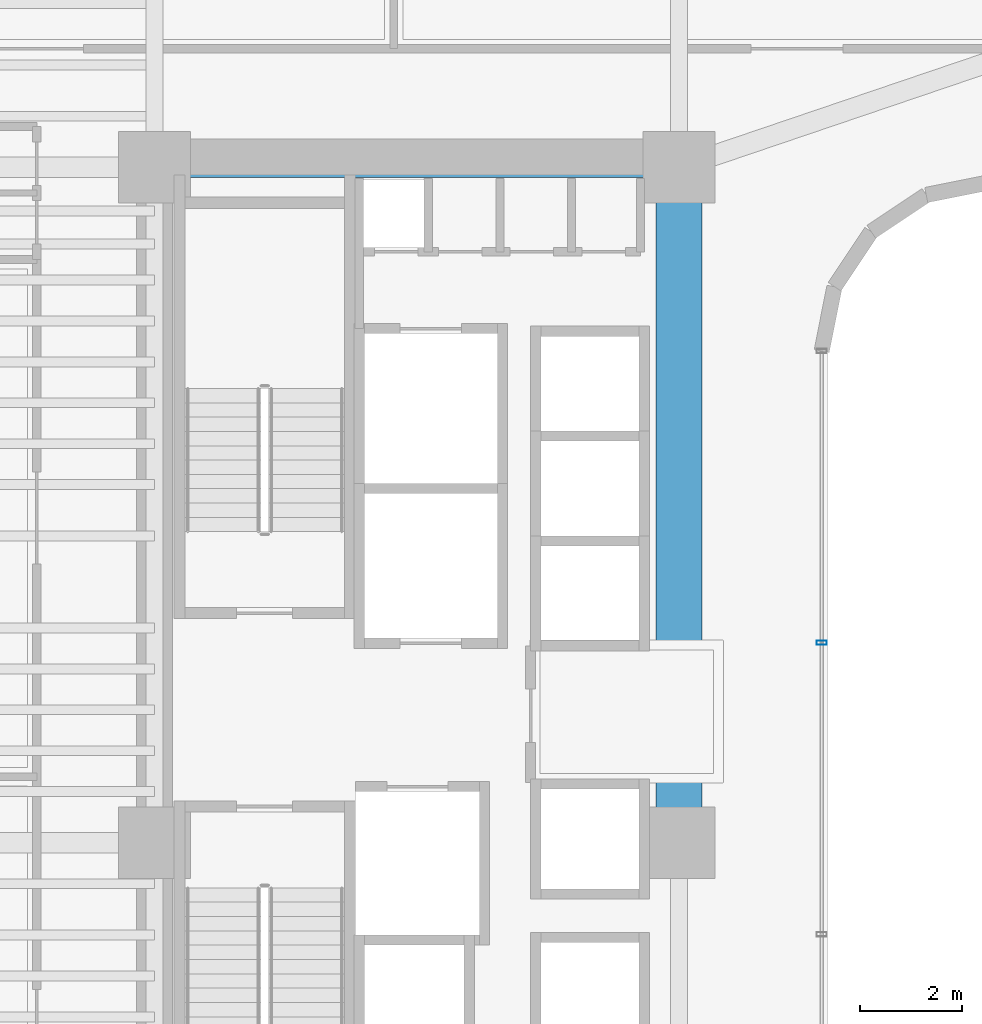
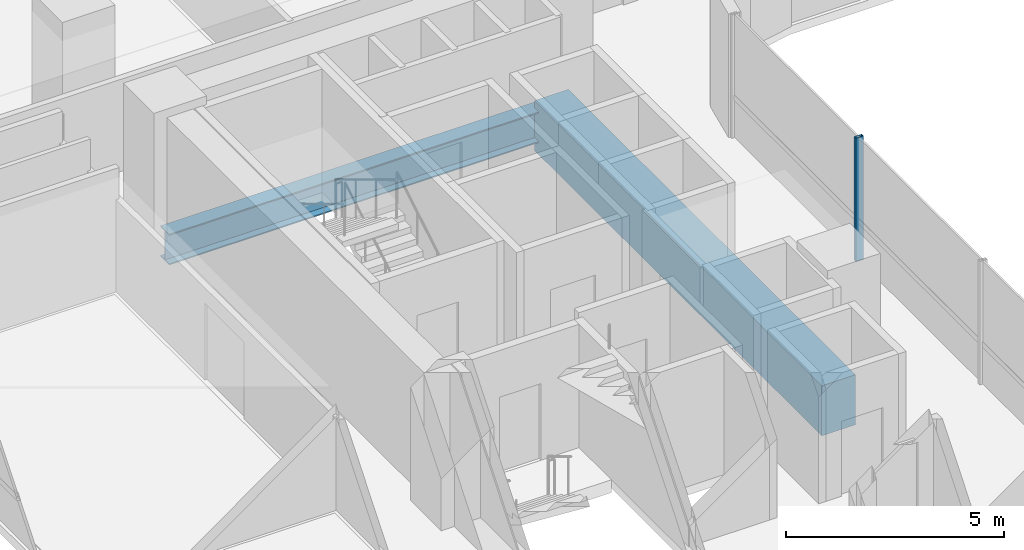
# One storey, part 11 of 41: 2 beams, 1 member, 1 element without a shape of its own.
"""IFC4 building model written with IfcOpenShell, lengths in metres."""

from ifc_helpers import new_model, si_unit, direction, frame, origin, origin_2d, place, context, subcontext, project, spatial, rectangle, hollow_rectangle, i_section, extrude, source, transform, mapped, material, material_profile, profile_set, type_object, element, aggregate, save


model = new_model("IFC4")

# Units and contexts
model_context = context("Model", 3, precision=1e-05, world=origin(), true_north=direction((0.0, 1.0)))
body_context = subcontext(model_context, "Body", "Model", "MODEL_VIEW")
ifc_project = project(units=[si_unit("LENGTHUNIT", "METRE"), si_unit("AREAUNIT", "SQUARE_METRE"), si_unit("VOLUMEUNIT", "CUBIC_METRE"), si_unit("PLANEANGLEUNIT", "RADIAN"), si_unit("MASSUNIT", "GRAM", prefix="KILO")], contexts=[model_context])

# Site, building, storey
site_placement = place(None, origin())
site = spatial("IfcSite", under=ifc_project, at=site_placement, CompositionType="ELEMENT")
building_placement = place(site_placement, origin())
building = spatial("IfcBuilding", under=site, at=building_placement, Name="Valdorenza Pilgrim Sanctuary Tower", CompositionType="ELEMENT")
storey_placement = place(building_placement, frame((0.0, 0.0, 63.0)))
storey = spatial("IfcBuildingStorey", under=building, at=storey_placement, Name="L15", CompositionType="ELEMENT", Elevation=63.0)

# Beams
ifc_material_1 = material(Name="Concrete C60/75", Category="concrete")
ifc_material_profile_1 = material_profile(ifc_material_1, rectangle(XDim=0.89990234375, YDim=1.39990234375, at=origin_2d()), Name="RC 1400x900")
ifc_profile_set_1 = profile_set([ifc_material_profile_1], Name="Concrete C60/75")
beam_type_1 = type_object("IfcBeamType", Name="STR-BM-LNT-1400", PredefinedType="LINTEL", material=ifc_profile_set_1)
shared_shape_1 = source(origin(), body_context, "Body", "SweptSolid", [
    extrude(rectangle(XDim=0.89990234375, YDim=1.39990234375, at=origin_2d()), origin(), (0.0, 0.0, 1.0), 13.2001953125),
])
beam_1_placement = place(storey_placement, frame((-12.39990234375, -2.60009765625, -0.739990234375), z_axis=(0.0, 1.0, 0.0), x_axis=(-1.0, 0.0, 0.0)))
element("IfcBeam", 1, at=beam_1_placement, inside=storey, type_object=beam_type_1, Name="L15 Core A Coupling Lintel Girder", PredefinedType="LINTEL", context=body_context, shape_type="MappedRepresentation", body=[
    mapped(shared_shape_1, transform((0.0, 0.0, 0.0), x_axis=(1.0, 0.0, 0.0), y_axis=(0.0, 1.0, 0.0), z_axis=(0.0, 0.0, 1.0), scale=1.0)),
])
ifc_material_2 = material(Name="Steel ASTM A992 Grade 50", Category="steel")
ifc_material_profile_2 = material_profile(ifc_material_2, i_section(OverallWidth=0.39990234375, OverallDepth=0.862060546875, WebThickness=0.019775390625, FlangeThickness=0.032470703125, at=origin_2d()), Name="W33X221")
ifc_profile_set_2 = profile_set([ifc_material_profile_2], Name="Steel ASTM A992 Grade 50")
beam_type_2 = type_object("IfcBeamType", Name="STR-BM-GRD-W33", PredefinedType="BEAM", material=ifc_profile_set_2)
shared_shape_2 = source(origin(), body_context, "Body", "SweptSolid", [
    extrude(i_section(OverallWidth=0.39990234375, OverallDepth=0.862060546875, WebThickness=0.019775390625, FlangeThickness=0.032470703125, at=origin_2d()), origin(), (0.0, 0.0, 1.0), 10.25),
])
beam_2_placement = place(storey_placement, frame((-22.64990234375, 10.60009765625, -0.6708984375), z_axis=(1.0, 0.0, 0.0), x_axis=(0.0, 1.0, 0.0)))
element("IfcBeam", 2, at=beam_2_placement, inside=storey, type_object=beam_type_2, Name="L15 Floor Girder CA-XC-N1", PredefinedType="BEAM", context=body_context, shape_type="MappedRepresentation", body=[
    mapped(shared_shape_2, transform((0.0, 0.0, 0.0), x_axis=(1.0, 0.0, 0.0), y_axis=(0.0, 1.0, 0.0), z_axis=(0.0, 0.0, 1.0), scale=1.0)),
])

# Curtain wall, member
ifc_material_3 = material(Name="Curtain-wall IGU glazing", Category="glass")
curtain_wall_type = type_object("IfcCurtainWallType", Name="CW-SYS-02", PredefinedType="NOTDEFINED", material=ifc_material_3)
curtain_wall_placement = place(storey_placement, origin())
curtain_wall = element("IfcCurtainWall", 3, at=curtain_wall_placement, inside=storey, type_object=curtain_wall_type, Name="L15 Curtain Wall CW-L15-1-41", PredefinedType="NOTDEFINED")
ifc_material_4 = material(Name="Anodised aluminium AW-6060", Category="aluminium")
ifc_material_profile_3 = material_profile(ifc_material_4, hollow_rectangle(XDim=0.0849609375, YDim=0.199951171875, WallThickness=0.0048828125, at=origin_2d()), Name="ALU-M 200x85x5")
ifc_profile_set_3 = profile_set([ifc_material_profile_3], Name="Anodised aluminium AW-6060")
member_type = type_object("IfcMemberType", Name="CW-MUL-02", PredefinedType="MULLION", material=ifc_profile_set_3)
shared_shape_3 = source(origin(), body_context, "Body", "SweptSolid", [
    extrude(hollow_rectangle(XDim=0.0849609375, YDim=0.199951171875, WallThickness=0.0048828125, at=origin_2d()), origin(), (0.0, 0.0, 1.0), 3.4599609375),
])
member_placement = place(storey_placement, frame((-9.610107421875, 1.310791015625, 0.0), z_axis=(0.0, 0.0, 1.0), x_axis=(0.0, -1.0, 0.0)))
member = element("IfcMember", 4, at=member_placement, type_object=member_type, Name="CW-L15-1-41 Mullion 2", PredefinedType="MULLION", context=body_context, shape_type="MappedRepresentation", body=[
    mapped(shared_shape_3, transform((0.0, 0.0, 0.0), x_axis=(1.0, 0.0, 0.0), y_axis=(0.0, 1.0, 0.0), z_axis=(0.0, 0.0, 1.0), scale=1.0)),
])
aggregate(curtain_wall, [member])

save(model, "model.ifc")
